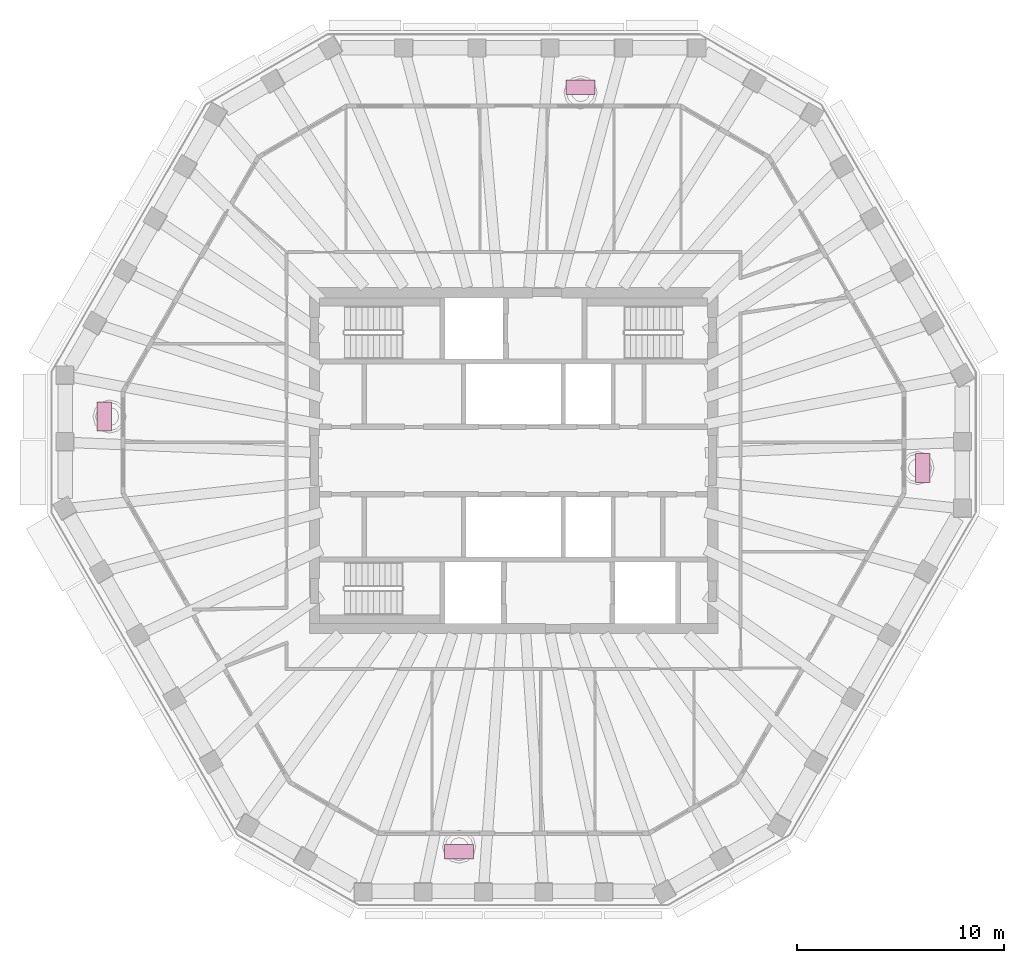
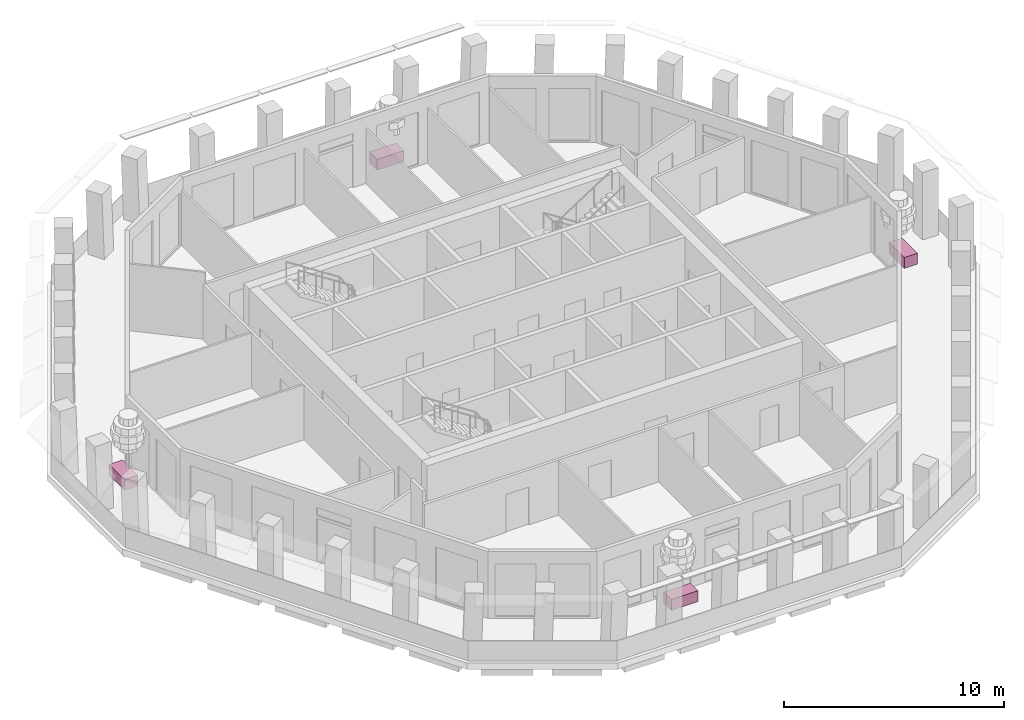
# One storey, part 10 of 11: 4 furniture elements.
"""IFC4 building model written with IfcOpenShell, lengths in metres."""

from ifc_helpers import new_model, si_unit, direction, frame, origin, origin_2d, place, context, subcontext, project, spatial, rectangle, extrude, material, type_object, element, save


model = new_model("IFC4")

# Units and contexts
model_context = context("Model", 3, precision=1e-05, world=origin(), true_north=direction((0.0, 1.0)))
body_context = subcontext(model_context, "Body", "Model", "MODEL_VIEW")
ifc_project = project(units=[si_unit("LENGTHUNIT", "METRE"), si_unit("AREAUNIT", "SQUARE_METRE"), si_unit("VOLUMEUNIT", "CUBIC_METRE"), si_unit("PLANEANGLEUNIT", "RADIAN"), si_unit("MASSUNIT", "GRAM", prefix="KILO")], contexts=[model_context])

# Site, building, storey
site_placement = place(None, origin())
site = spatial("IfcSite", under=ifc_project, at=site_placement, CompositionType="ELEMENT")
building_placement = place(site_placement, origin())
building = spatial("IfcBuilding", under=site, at=building_placement, Name="Frailejon Research Tower", CompositionType="ELEMENT")
storey_placement = place(building_placement, frame((0.0, 0.0, 336.60009765625)))
storey = spatial("IfcBuildingStorey", under=building, at=storey_placement, Name="L75", CompositionType="ELEMENT", Elevation=336.60009765625)

# Furniture
ifc_material = material(Name="Precast concrete C30/37 planter, terracotta", Category="masonry")
furniture_type = type_object("IfcFurnitureType", Name="Loggia planter 1400x700", AssemblyPlace="NOTDEFINED", PredefinedType="USERDEFINED", material=ifc_material)
for number, where, z_axis, x_axis, name in (
    (1, (19.735595703125, -0.361328125, -0.000244140625), (0.0, 0.0, 1.0), (0.0, 1.0, 0.0), "Planter L75"),
    (2, (3.23193359375, 18.0, -0.000244140625), (0.0, 0.0, 1.0), (-1.0, 0.0, 0.0), "Planter L75"),
    (3, (-19.735595703125, 2.12109375, -0.000244140625), (0.0, 0.0, 1.0), (0.0, -1.0, 0.0), "Planter L75"),
    (4, (-2.622314453125, -18.8798828125, -0.000244140625), (0.0, 0.0, 1.0), (1.0, 0.0, 0.0), "Planter L75"),
):
    element("IfcFurniture", number, at=place(storey_placement, frame(where, z_axis=z_axis, x_axis=x_axis)), inside=storey, type_object=furniture_type, Name=name, ObjectType="PLANTER", PredefinedType="USERDEFINED", context=body_context, shape_type="SweptSolid", body=[
        extrude(rectangle(XDim=1.39990234375, YDim=0.699951171875, at=origin_2d()), origin(), (0.0, 0.0, 1.0), 0.60009765625),
    ])

save(model, "model.ifc")
